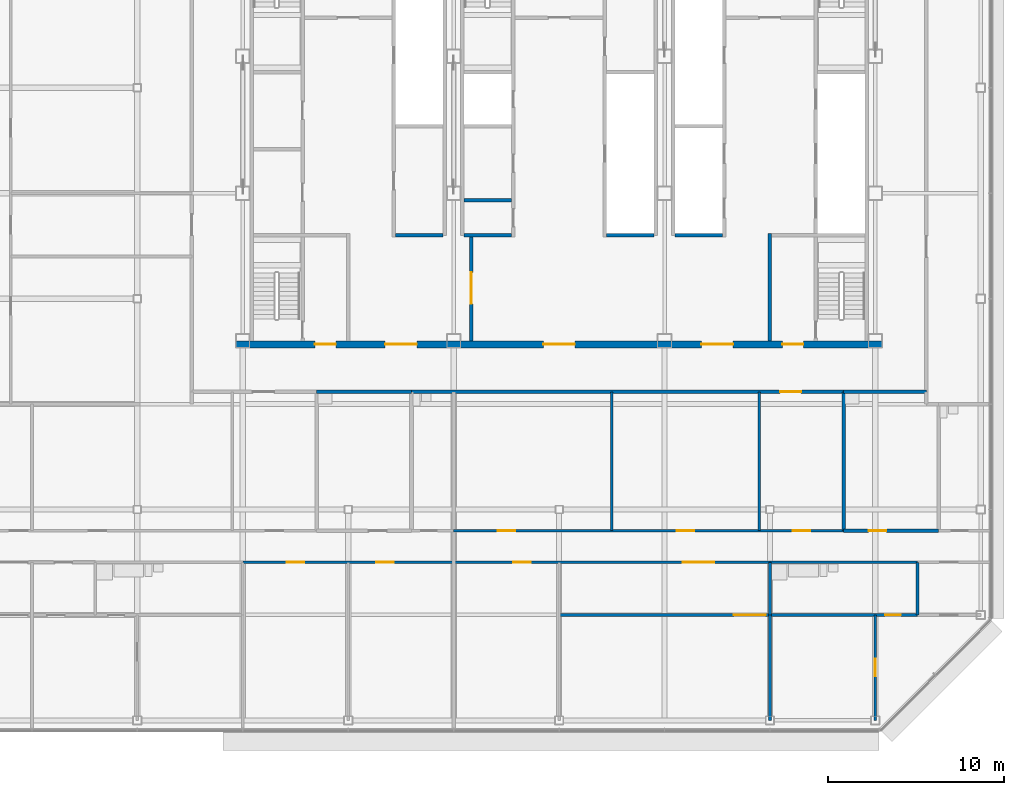
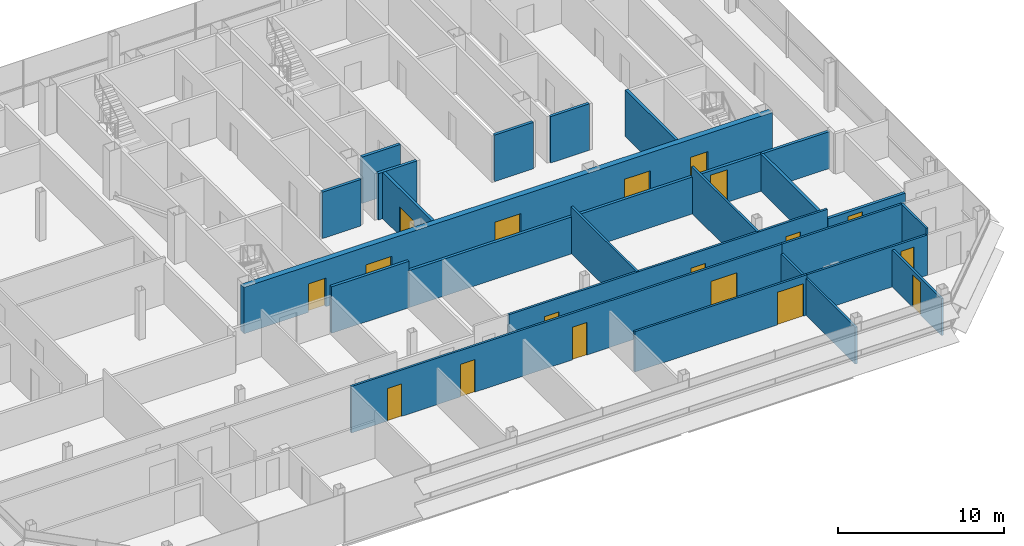
# One storey, part 22 of 27: 24 walls, 18 doors, 18 openings.
"""IFC4 building model written with IfcOpenShell, lengths in metres."""

from ifc_helpers import new_model, si_unit, direction, frame, frame_2d, origin, place, context, subcontext, project, spatial, rectangle, extrude, material, layer, layer_set, type_object, element, fill, save


model = new_model("IFC4")

# Units and contexts
model_context = context("Model", 3, precision=1e-05, world=origin(), true_north=direction((0.0, 1.0)))
body_context = subcontext(model_context, "Body", "Model", "MODEL_VIEW")
ifc_project = project(units=[si_unit("LENGTHUNIT", "METRE"), si_unit("AREAUNIT", "SQUARE_METRE"), si_unit("VOLUMEUNIT", "CUBIC_METRE"), si_unit("PLANEANGLEUNIT", "RADIAN"), si_unit("MASSUNIT", "GRAM", prefix="KILO")], contexts=[model_context])

# Site, building, storey
site_placement = place(None, origin())
site = spatial("IfcSite", under=ifc_project, at=site_placement, CompositionType="ELEMENT")
building_placement = place(site_placement, origin())
building = spatial("IfcBuilding", under=site, at=building_placement, Name="Sorahane Residences", CompositionType="ELEMENT")
storey_placement = place(building_placement, frame((0.0, 0.0, 316.0)))
storey = spatial("IfcBuildingStorey", under=building, at=storey_placement, Name="L75", CompositionType="ELEMENT", Elevation=316.0)

# Wall, opening, door
ifc_material_1 = material(Name="Concrete blockwork C20 wall", Category="masonry")
ifc_layer_1 = layer(ifc_material_1, 0.199951171875)
ifc_layer_set_1 = layer_set([ifc_layer_1], Name="Corridor wall 200 EI 120")
wall_type_1 = type_object("IfcWallType", Name="Corridor wall 200 EI 120", PredefinedType="SOLIDWALL", material=ifc_layer_set_1)
wall_1_placement = place(storey_placement, frame((15.60009765625, 18.699951171875, 0.0), z_axis=(0.0, 0.0, 1.0), x_axis=(1.0, 0.0, 0.0)))
wall_1 = element("IfcWall", 1, at=wall_1_placement, inside=storey, type_object=wall_type_1, Name="L75 corridor wall", PredefinedType="SOLIDWALL", context=body_context, shape_type="SweptSolid", body=[
    extrude(rectangle(XDim=24.599853515625, YDim=0.199951171875, at=frame_2d((12.2998046875, 0.0))), origin(), (0.0, 0.0, 1.0), 2.719970703125),
])
opening_1_placement = place(wall_1_placement, frame((20.97998046875, 0.0, 0.0)))
opening_1 = element("IfcOpeningElement", 2, at=opening_1_placement, cuts=wall_1, Name="Opening L75-39", PredefinedType="OPENING", context=body_context, shape_type="SweptSolid", body=[
    extrude(rectangle(XDim=1.199951171875, YDim=2.39990234375, at=frame_2d((0.60009765625, 1.199951171875))), frame((0.0, 0.10986328125, 0.0), z_axis=(0.0, -1.0, 0.0), x_axis=(1.0, 0.0, 0.0)), (0.0, 0.0, 1.0), 0.219970703125),
])
ifc_material_2 = material(Name="Timber veneered fire door", Category="wood")
door_type_1 = type_object("IfcDoorType", Name="Flat entrance door 1200x2400 FD60", OperationType="NOTDEFINED", PredefinedType="DOOR", material=ifc_material_2)
door_1_placement = place(opening_1_placement, frame((1.199951171875, 0.0, 0.0), z_axis=(0.0, 0.0, 1.0), x_axis=(-1.0, 0.0, 0.0)))
door_1 = element("IfcDoor", 3, at=door_1_placement, inside=storey, type_object=door_type_1, Name="Flat entrance door L75-39", OperationType="SINGLE_SWING_RIGHT", OverallHeight=2.39990234375, OverallWidth=1.199951171875, PredefinedType="DOOR", context=body_context, shape_type="SweptSolid", body=[
    extrude(rectangle(XDim=1.199951171875, YDim=2.39990234375, at=frame_2d((0.60009765625, 1.199951171875))), frame((0.0, 0.02490234375, 0.0), z_axis=(0.0, -1.0, 0.0), x_axis=(1.0, 0.0, 0.0)), (0.0, 0.0, 1.0), 0.050048828125),
])
fill(opening_1, door_1)

# Walls
ifc_material_3 = material(Name="Concrete C30", Category="concrete")
ifc_layer_2 = layer(ifc_material_3, 0.199951171875)
ifc_layer_set_2 = layer_set([ifc_layer_2], Name="Front room wall 200 EI 120")
wall_type_2 = type_object("IfcWallType", Name="Front room wall 200 EI 120", PredefinedType="PARTITIONING", material=ifc_layer_set_2)
wall_2_placement = place(storey_placement, frame((36.0, 21.60009765625, 0.0), z_axis=(0.0, 0.0, 1.0), x_axis=(0.0, 1.0, 0.0)))
element("IfcWall", 4, at=wall_2_placement, inside=storey, type_object=wall_type_2, Name="L75 front room wall", PredefinedType="PARTITIONING", context=body_context, shape_type="SweptSolid", body=[
    extrude(rectangle(XDim=6.099853515625, YDim=0.199951171875, at=frame_2d((3.0498046875, 0.0))), origin(), (0.0, 0.0, 1.0), 3.419921875),
])
ifc_material_4 = material(Name="Concrete blockwork C20 wall", Category="masonry")
ifc_layer_3 = layer(ifc_material_4, 0.199951171875)
ifc_layer_set_3 = layer_set([ifc_layer_3], Name="Kitchen wall 200 EI 180")
wall_type_3 = type_object("IfcWallType", Name="Kitchen wall 200 EI 180", PredefinedType="SOLIDWALL", material=ifc_layer_set_3)
wall_3_placement = place(storey_placement, frame((40.199951171875, 10.800048828125, 0.0), z_axis=(0.0, 0.0, 1.0), x_axis=(0.0, 1.0, 0.0)))
element("IfcWall", 5, at=wall_3_placement, inside=storey, type_object=wall_type_3, Name="L75 kitchen wall", PredefinedType="SOLIDWALL", context=body_context, shape_type="SweptSolid", body=[
    extrude(rectangle(XDim=7.89990234375, YDim=0.199951171875, at=frame_2d((3.949951171875, 0.0))), origin(), (0.0, 0.0, 1.0), 2.719970703125),
])

# Wall, opening, door
wall_4_placement = place(storey_placement, frame((40.199951171875, 10.800048828125, 0.0), z_axis=(0.0, 0.0, 1.0), x_axis=(1.0, 0.0, 0.0)))
wall_4 = element("IfcWall", 6, at=wall_4_placement, inside=storey, type_object=wall_type_3, Name="L75 kitchen wall", PredefinedType="SOLIDWALL", context=body_context, shape_type="SweptSolid", body=[
    extrude(rectangle(XDim=5.400146484375, YDim=0.199951171875, at=frame_2d((2.7001953125, 0.0))), origin(), (0.0, 0.0, 1.0), 2.719970703125),
])
opening_2_placement = place(wall_4_placement, frame((1.419921875, 0.0, 0.0)))
opening_2 = element("IfcOpeningElement", 7, at=opening_2_placement, cuts=wall_4, Name="Opening L75-17", PredefinedType="OPENING", context=body_context, shape_type="SweptSolid", body=[
    extrude(rectangle(XDim=1.0, YDim=2.39990234375, at=frame_2d((0.5, 1.199951171875))), frame((0.0, 0.10986328125, 0.0), z_axis=(0.0, -1.0, 0.0), x_axis=(1.0, 0.0, 0.0)), (0.0, 0.0, 1.0), 0.219970703125),
])
ifc_material_5 = material(Name="Steel", Category="steel")
door_type_2 = type_object("IfcDoorType", Name="Kitchen door 1000x2400 FD120", OperationType="NOTDEFINED", PredefinedType="DOOR", material=ifc_material_5)
door_2_placement = place(opening_2_placement, origin())
door_2 = element("IfcDoor", 8, at=door_2_placement, inside=storey, type_object=door_type_2, Name="Kitchen door L75-17", OperationType="SINGLE_SWING_RIGHT", OverallHeight=2.39990234375, OverallWidth=1.0, PredefinedType="DOOR", context=body_context, shape_type="SweptSolid", body=[
    extrude(rectangle(XDim=1.0, YDim=2.39990234375, at=frame_2d((0.5, 1.199951171875))), frame((0.0, 0.02490234375, 0.0), z_axis=(0.0, -1.0, 0.0), x_axis=(1.0, 0.0, 0.0)), (0.0, 0.0, 1.0), 0.050048828125),
])
fill(opening_2, door_2)

# Walls
wall_5_placement = place(storey_placement, frame((10.199951171875, 18.699951171875, 0.0), z_axis=(0.0, 0.0, 1.0), x_axis=(1.0, 0.0, 0.0)))
element("IfcWall", 9, at=wall_5_placement, inside=storey, type_object=wall_type_3, Name="L75 kitchen wall", PredefinedType="SOLIDWALL", context=body_context, shape_type="SweptSolid", body=[
    extrude(rectangle(XDim=5.400146484375, YDim=0.199951171875, at=frame_2d((2.7001953125, 0.0))), origin(), (0.0, 0.0, 1.0), 3.419921875),
])
wall_6_placement = place(storey_placement, frame((40.199951171875, 18.699951171875, 0.0), z_axis=(0.0, 0.0, 1.0), x_axis=(1.0, 0.0, 0.0)))
element("IfcWall", 10, at=wall_6_placement, inside=storey, type_object=wall_type_3, Name="L75 kitchen wall", PredefinedType="SOLIDWALL", context=body_context, shape_type="SweptSolid", body=[
    extrude(rectangle(XDim=4.699951171875, YDim=0.199951171875, at=frame_2d((2.35009765625, 0.0))), origin(), (0.0, 0.0, 1.0), 2.719970703125),
])
ifc_material_6 = material(Name="Concrete C30", Category="concrete")
ifc_layer_4 = layer(ifc_material_6, 0.199951171875)
ifc_layer_set_4 = layer_set([ifc_layer_4], Name="Lift shaft wall 200 EI 120")
wall_type_4 = type_object("IfcWallType", Name="Lift shaft wall 200 EI 120", PredefinedType="SOLIDWALL", material=ifc_layer_set_4)
wall_7_placement = place(storey_placement, frame((30.60009765625, 27.60009765625, 0.0), z_axis=(0.0, 0.0, 1.0), x_axis=(1.0, 0.0, 0.0)))
element("IfcWall", 11, at=wall_7_placement, inside=storey, type_object=wall_type_4, Name="L75 lift shaft wall", PredefinedType="SOLIDWALL", context=body_context, shape_type="SweptSolid", body=[
    extrude(rectangle(XDim=2.699951171875, YDim=0.199951171875, at=frame_2d((1.35009765625, 0.0))), origin(), (0.0, 0.0, 1.0), 3.419921875),
])
ifc_material_7 = material(Name="Gypsum board partition on steel studs", Category="steel")
ifc_layer_5 = layer(ifc_material_7, 0.14990234375)
ifc_layer_set_5 = layer_set([ifc_layer_5], Name="Partition 150 EI 90")
wall_type_5 = type_object("IfcWallType", Name="Partition 150 EI 90", PredefinedType="PARTITIONING", material=ifc_layer_set_5)
for number, where, z_axis, x_axis, name in (
    (12, (27.0, 10.800048828125, 0.0), (0.0, 0.0, 1.0), (0.0, 1.0, 0.0), "L75 partition"),
    (13, (35.39990234375, 10.800048828125, 0.0), (0.0, 0.0, 1.0), (0.0, 1.0, 0.0), "L75 partition"),
):
    element("IfcWall", number, at=place(storey_placement, frame(where, z_axis=z_axis, x_axis=x_axis)), inside=storey, type_object=wall_type_5, Name=name, PredefinedType="PARTITIONING", context=body_context, shape_type="SweptSolid", body=[
        extrude(rectangle(XDim=7.89990234375, YDim=0.14990234375, at=frame_2d((3.949951171875, 0.0))), origin(), (0.0, 0.0, 1.0), 3.419921875),
    ])
wall_8_placement = place(storey_placement, frame((36.0, 0.0, 0.0), z_axis=(0.0, 0.0, 1.0), x_axis=(0.0, 1.0, 0.0)))
element("IfcWall", 14, at=wall_8_placement, inside=storey, type_object=wall_type_5, Name="L75 partition", PredefinedType="PARTITIONING", context=body_context, shape_type="SweptSolid", body=[
    extrude(rectangle(XDim=6.0, YDim=0.14990234375, at=frame_2d((3.0, 0.0))), origin(), (0.0, 0.0, 1.0), 2.719970703125),
])

# Wall, opening, door
wall_9_placement = place(storey_placement, frame((42.0, 0.0, 0.0), z_axis=(0.0, 0.0, 1.0), x_axis=(0.0, 1.0, 0.0)))
wall_9 = element("IfcWall", 15, at=wall_9_placement, inside=storey, type_object=wall_type_5, Name="L75 partition", PredefinedType="PARTITIONING", context=body_context, shape_type="SweptSolid", body=[
    extrude(rectangle(XDim=6.0, YDim=0.14990234375, at=frame_2d((3.0, 0.0))), origin(), (0.0, 0.0, 1.0), 2.719970703125),
])
opening_3_placement = place(wall_9_placement, frame((2.5, 0.0, 0.0)))
opening_3 = element("IfcOpeningElement", 16, at=opening_3_placement, cuts=wall_9, Name="Opening L75-24", PredefinedType="OPENING", context=body_context, shape_type="SweptSolid", body=[
    extrude(rectangle(XDim=1.0, YDim=2.39990234375, at=frame_2d((0.5, 1.199951171875))), frame((0.0, 0.0849609375, 0.0), z_axis=(0.0, -1.0, 0.0), x_axis=(1.0, 0.0, 0.0)), (0.0, 0.0, 1.0), 0.169921875),
])
ifc_material_8 = material(Name="Timber veneered fire door", Category="wood")
door_type_3 = type_object("IfcDoorType", Name="Room door 1000x2400 FD30", OperationType="NOTDEFINED", PredefinedType="DOOR", material=ifc_material_8)
door_3_placement = place(opening_3_placement, origin())
door_3 = element("IfcDoor", 17, at=door_3_placement, inside=storey, type_object=door_type_3, Name="Room door L75-24", OperationType="SINGLE_SWING_LEFT", OverallHeight=2.39990234375, OverallWidth=1.0, PredefinedType="DOOR", context=body_context, shape_type="SweptSolid", body=[
    extrude(rectangle(XDim=1.0, YDim=2.39990234375, at=frame_2d((0.5, 1.199951171875))), frame((0.0, 0.02490234375, 0.0), z_axis=(0.0, -1.0, 0.0), x_axis=(1.0, 0.0, 0.0)), (0.0, 0.0, 1.0), 0.050048828125),
])
fill(opening_3, door_3)

# Wall, openings, doors
wall_10_placement = place(storey_placement, frame((18.0, 10.800048828125, 0.0), z_axis=(0.0, 0.0, 1.0), x_axis=(1.0, 0.0, 0.0)))
wall_10 = element("IfcWall", 18, at=wall_10_placement, inside=storey, type_object=wall_type_5, Name="L75 partition", PredefinedType="PARTITIONING", context=body_context, shape_type="SweptSolid", body=[
    extrude(rectangle(XDim=22.199951171875, YDim=0.14990234375, at=frame_2d((11.10009765625, 0.0))), origin(), (0.0, 0.0, 1.0), 3.419921875),
])
opening_4_placement = place(wall_10_placement, frame((19.300048828125, 0.0, 0.0)))
opening_4 = element("IfcOpeningElement", 19, at=opening_4_placement, cuts=wall_10, Name="Opening L75-14", PredefinedType="OPENING", context=body_context, shape_type="SweptSolid", body=[
    extrude(rectangle(XDim=1.0, YDim=2.39990234375, at=frame_2d((0.5, 1.199951171875))), frame((0.0, 0.0849609375, 0.0), z_axis=(0.0, -1.0, 0.0), x_axis=(1.0, 0.0, 0.0)), (0.0, 0.0, 1.0), 0.169921875),
])
opening_5_placement = place(wall_10_placement, frame((2.5, 0.0, 0.0)))
opening_5 = element("IfcOpeningElement", 20, at=opening_5_placement, cuts=wall_10, Name="Opening L75-15", PredefinedType="OPENING", context=body_context, shape_type="SweptSolid", body=[
    extrude(rectangle(XDim=1.0, YDim=2.39990234375, at=frame_2d((0.5, 1.199951171875))), frame((0.0, 0.0849609375, 0.0), z_axis=(0.0, -1.0, 0.0), x_axis=(1.0, 0.0, 0.0)), (0.0, 0.0, 1.0), 0.169921875),
])
opening_6_placement = place(wall_10_placement, frame((12.699951171875, 0.0, 0.0)))
opening_6 = element("IfcOpeningElement", 21, at=opening_6_placement, cuts=wall_10, Name="Opening L75-16", PredefinedType="OPENING", context=body_context, shape_type="SweptSolid", body=[
    extrude(rectangle(XDim=1.0, YDim=2.39990234375, at=frame_2d((0.5, 1.199951171875))), frame((0.0, 0.0849609375, 0.0), z_axis=(0.0, -1.0, 0.0), x_axis=(1.0, 0.0, 0.0)), (0.0, 0.0, 1.0), 0.169921875),
])
door_4_placement = place(opening_4_placement, frame((1.0, 0.0, 0.0), z_axis=(0.0, 0.0, 1.0), x_axis=(-1.0, 0.0, 0.0)))
door_4 = element("IfcDoor", 22, at=door_4_placement, inside=storey, type_object=door_type_3, Name="Room door L75-14", OperationType="SINGLE_SWING_LEFT", OverallHeight=2.39990234375, OverallWidth=1.0, PredefinedType="DOOR", context=body_context, shape_type="SweptSolid", body=[
    extrude(rectangle(XDim=1.0, YDim=2.39990234375, at=frame_2d((0.5, 1.199951171875))), frame((0.0, 0.02490234375, 0.0), z_axis=(0.0, -1.0, 0.0), x_axis=(1.0, 0.0, 0.0)), (0.0, 0.0, 1.0), 0.050048828125),
])
fill(opening_4, door_4)
door_5_placement = place(opening_5_placement, origin())
door_5 = element("IfcDoor", 23, at=door_5_placement, inside=storey, type_object=door_type_3, Name="Room door L75-15", OperationType="SINGLE_SWING_LEFT", OverallHeight=2.39990234375, OverallWidth=1.0, PredefinedType="DOOR", context=body_context, shape_type="SweptSolid", body=[
    extrude(rectangle(XDim=1.0, YDim=2.39990234375, at=frame_2d((0.5, 1.199951171875))), frame((0.0, 0.02490234375, 0.0), z_axis=(0.0, -1.0, 0.0), x_axis=(1.0, 0.0, 0.0)), (0.0, 0.0, 1.0), 0.050048828125),
])
fill(opening_5, door_5)
door_6_placement = place(opening_6_placement, origin())
door_6 = element("IfcDoor", 24, at=door_6_placement, inside=storey, type_object=door_type_3, Name="Room door L75-16", OperationType="SINGLE_SWING_LEFT", OverallHeight=2.39990234375, OverallWidth=1.0, PredefinedType="DOOR", context=body_context, shape_type="SweptSolid", body=[
    extrude(rectangle(XDim=1.0, YDim=2.39990234375, at=frame_2d((0.5, 1.199951171875))), frame((0.0, 0.02490234375, 0.0), z_axis=(0.0, -1.0, 0.0), x_axis=(1.0, 0.0, 0.0)), (0.0, 0.0, 1.0), 0.050048828125),
])
fill(opening_6, door_6)

# Wall, opening, door
wall_11_placement = place(storey_placement, frame((24.0, 6.0, 0.0), z_axis=(0.0, 0.0, 1.0), x_axis=(1.0, 0.0, 0.0)))
wall_11 = element("IfcWall", 25, at=wall_11_placement, inside=storey, type_object=wall_type_5, Name="L75 partition", PredefinedType="PARTITIONING", context=body_context, shape_type="SweptSolid", body=[
    extrude(rectangle(XDim=12.0, YDim=0.14990234375, at=frame_2d((6.0, 0.0))), origin(), (0.0, 0.0, 1.0), 2.969970703125),
])
opening_7_placement = place(wall_11_placement, frame((9.949951171875, 0.0, 0.0)))
opening_7 = element("IfcOpeningElement", 26, at=opening_7_placement, cuts=wall_11, Name="Opening L75-22", PredefinedType="OPENING", context=body_context, shape_type="SweptSolid", body=[
    extrude(rectangle(XDim=1.800048828125, YDim=2.39990234375, at=frame_2d((0.89990234375, 1.199951171875))), frame((0.0, 0.0849609375, 0.0), z_axis=(0.0, -1.0, 0.0), x_axis=(1.0, 0.0, 0.0)), (0.0, 0.0, 1.0), 0.169921875),
])
ifc_material_9 = material(Name="Timber veneered fire door", Category="wood")
door_type_4 = type_object("IfcDoorType", Name="Double door 1800x2400 FD30", OperationType="NOTDEFINED", PredefinedType="DOOR", material=ifc_material_9)
door_7_placement = place(opening_7_placement, frame((1.800048828125, 0.0, 0.0), z_axis=(0.0, 0.0, 1.0), x_axis=(-1.0, 0.0, 0.0)))
door_7 = element("IfcDoor", 27, at=door_7_placement, inside=storey, type_object=door_type_4, Name="Double door L75-22", OperationType="SINGLE_SWING_LEFT", OverallHeight=2.39990234375, OverallWidth=1.800048828125, PredefinedType="DOOR", context=body_context, shape_type="SweptSolid", body=[
    extrude(rectangle(XDim=1.800048828125, YDim=2.39990234375, at=frame_2d((0.89990234375, 1.199951171875))), frame((0.0, 0.02490234375, 0.0), z_axis=(0.0, -1.0, 0.0), x_axis=(1.0, 0.0, 0.0)), (0.0, 0.0, 1.0), 0.050048828125),
])
fill(opening_7, door_7)

# Wall, openings, doors
wall_12_placement = place(storey_placement, frame((6.0, 9.0, 0.0), z_axis=(0.0, 0.0, 1.0), x_axis=(1.0, 0.0, 0.0)))
wall_12 = element("IfcWall", 28, at=wall_12_placement, inside=storey, type_object=wall_type_5, Name="L75 partition", PredefinedType="PARTITIONING", context=body_context, shape_type="SweptSolid", body=[
    extrude(rectangle(XDim=30.0, YDim=0.14990234375, at=frame_2d((15.0, 0.0))), origin(), (0.0, 0.0, 1.0), 3.419921875),
])
opening_8_placement = place(wall_12_placement, frame((2.5, 0.0, 0.0)))
opening_8 = element("IfcOpeningElement", 29, at=opening_8_placement, cuts=wall_12, Name="Opening L75-08", PredefinedType="OPENING", context=body_context, shape_type="SweptSolid", body=[
    extrude(rectangle(XDim=1.0, YDim=2.39990234375, at=frame_2d((0.5, 1.199951171875))), frame((0.0, 0.0849609375, 0.0), z_axis=(0.0, -1.0, 0.0), x_axis=(1.0, 0.0, 0.0)), (0.0, 0.0, 1.0), 0.169921875),
])
opening_9_placement = place(wall_12_placement, frame((7.60009765625, 0.0, 0.0)))
opening_9 = element("IfcOpeningElement", 30, at=opening_9_placement, cuts=wall_12, Name="Opening L75-09", PredefinedType="OPENING", context=body_context, shape_type="SweptSolid", body=[
    extrude(rectangle(XDim=1.0, YDim=2.39990234375, at=frame_2d((0.5, 1.199951171875))), frame((0.0, 0.0849609375, 0.0), z_axis=(0.0, -1.0, 0.0), x_axis=(1.0, 0.0, 0.0)), (0.0, 0.0, 1.0), 0.169921875),
])
opening_10_placement = place(wall_12_placement, frame((15.39990234375, 0.0, 0.0)))
opening_10 = element("IfcOpeningElement", 31, at=opening_10_placement, cuts=wall_12, Name="Opening L75-19", PredefinedType="OPENING", context=body_context, shape_type="SweptSolid", body=[
    extrude(rectangle(XDim=1.0, YDim=2.39990234375, at=frame_2d((0.5, 1.199951171875))), frame((0.0, 0.0849609375, 0.0), z_axis=(0.0, -1.0, 0.0), x_axis=(1.0, 0.0, 0.0)), (0.0, 0.0, 1.0), 0.169921875),
])
opening_11_placement = place(wall_12_placement, frame((25.0400390625, 0.0, 0.0)))
opening_11 = element("IfcOpeningElement", 32, at=opening_11_placement, cuts=wall_12, Name="Opening L75-20", PredefinedType="OPENING", context=body_context, shape_type="SweptSolid", body=[
    extrude(rectangle(XDim=1.800048828125, YDim=2.39990234375, at=frame_2d((0.89990234375, 1.199951171875))), frame((0.0, 0.0849609375, 0.0), z_axis=(0.0, -1.0, 0.0), x_axis=(1.0, 0.0, 0.0)), (0.0, 0.0, 1.0), 0.169921875),
])
door_8_placement = place(opening_11_placement, frame((1.800048828125, 0.0, 0.0), z_axis=(0.0, 0.0, 1.0), x_axis=(-1.0, 0.0, 0.0)))
door_8 = element("IfcDoor", 33, at=door_8_placement, inside=storey, type_object=door_type_4, Name="Double door L75-20", OperationType="SINGLE_SWING_RIGHT", OverallHeight=2.39990234375, OverallWidth=1.800048828125, PredefinedType="DOOR", context=body_context, shape_type="SweptSolid", body=[
    extrude(rectangle(XDim=1.800048828125, YDim=2.39990234375, at=frame_2d((0.89990234375, 1.199951171875))), frame((0.0, 0.02490234375, 0.0), z_axis=(0.0, -1.0, 0.0), x_axis=(1.0, 0.0, 0.0)), (0.0, 0.0, 1.0), 0.050048828125),
])
fill(opening_11, door_8)
door_9_placement = place(opening_8_placement, frame((1.0, 0.0, 0.0), z_axis=(0.0, 0.0, 1.0), x_axis=(-1.0, 0.0, 0.0)))
door_9 = element("IfcDoor", 34, at=door_9_placement, inside=storey, type_object=door_type_3, Name="Room door L75-08", OperationType="SINGLE_SWING_LEFT", OverallHeight=2.39990234375, OverallWidth=1.0, PredefinedType="DOOR", context=body_context, shape_type="SweptSolid", body=[
    extrude(rectangle(XDim=1.0, YDim=2.39990234375, at=frame_2d((0.5, 1.199951171875))), frame((0.0, 0.02490234375, 0.0), z_axis=(0.0, -1.0, 0.0), x_axis=(1.0, 0.0, 0.0)), (0.0, 0.0, 1.0), 0.050048828125),
])
fill(opening_8, door_9)
door_10_placement = place(opening_9_placement, frame((1.0, 0.0, 0.0), z_axis=(0.0, 0.0, 1.0), x_axis=(-1.0, 0.0, 0.0)))
door_10 = element("IfcDoor", 35, at=door_10_placement, inside=storey, type_object=door_type_3, Name="Room door L75-09", OperationType="SINGLE_SWING_RIGHT", OverallHeight=2.39990234375, OverallWidth=1.0, PredefinedType="DOOR", context=body_context, shape_type="SweptSolid", body=[
    extrude(rectangle(XDim=1.0, YDim=2.39990234375, at=frame_2d((0.5, 1.199951171875))), frame((0.0, 0.02490234375, 0.0), z_axis=(0.0, -1.0, 0.0), x_axis=(1.0, 0.0, 0.0)), (0.0, 0.0, 1.0), 0.050048828125),
])
fill(opening_9, door_10)
door_11_placement = place(opening_10_placement, frame((1.0, 0.0, 0.0), z_axis=(0.0, 0.0, 1.0), x_axis=(-1.0, 0.0, 0.0)))
door_11 = element("IfcDoor", 36, at=door_11_placement, inside=storey, type_object=door_type_3, Name="Room door L75-19", OperationType="SINGLE_SWING_LEFT", OverallHeight=2.39990234375, OverallWidth=1.0, PredefinedType="DOOR", context=body_context, shape_type="SweptSolid", body=[
    extrude(rectangle(XDim=1.0, YDim=2.39990234375, at=frame_2d((0.5, 1.199951171875))), frame((0.0, 0.02490234375, 0.0), z_axis=(0.0, -1.0, 0.0), x_axis=(1.0, 0.0, 0.0)), (0.0, 0.0, 1.0), 0.050048828125),
])
fill(opening_10, door_11)

# Wall
ifc_material_10 = material(Name="Concrete C30", Category="concrete")
ifc_layer_6 = layer(ifc_material_10, 0.199951171875)
ifc_layer_set_6 = layer_set([ifc_layer_6], Name="Riser shaft wall 200 EI 120")
wall_type_6 = type_object("IfcWallType", Name="Riser shaft wall 200 EI 120", PredefinedType="SOLIDWALL", material=ifc_layer_set_6)
wall_13_placement = place(storey_placement, frame((26.699951171875, 27.60009765625, 0.0), z_axis=(0.0, 0.0, 1.0), x_axis=(1.0, 0.0, 0.0)))
element("IfcWall", 37, at=wall_13_placement, inside=storey, type_object=wall_type_6, Name="L75 riser wall", PredefinedType="SOLIDWALL", context=body_context, shape_type="SweptSolid", body=[
    extrude(rectangle(XDim=2.699951171875, YDim=0.199951171875, at=frame_2d((1.35009765625, 0.0))), origin(), (0.0, 0.0, 1.0), 3.419921875),
])

# Wall, opening, door
ifc_material_11 = material(Name="Concrete C30", Category="concrete")
ifc_layer_7 = layer(ifc_material_11, 0.199951171875)
ifc_layer_set_7 = layer_set([ifc_layer_7], Name="Service room partition 200 EI 60")
wall_type_7 = type_object("IfcWallType", Name="Service room partition 200 EI 60", PredefinedType="PARTITIONING", material=ifc_layer_set_7)
wall_14_placement = place(storey_placement, frame((19.0, 21.60009765625, 0.0), z_axis=(0.0, 0.0, 1.0), x_axis=(0.0, 1.0, 0.0)))
wall_14 = element("IfcWall", 38, at=wall_14_placement, inside=storey, type_object=wall_type_7, Name="L75 service room wall", PredefinedType="PARTITIONING", context=body_context, shape_type="SweptSolid", body=[
    extrude(rectangle(XDim=6.0, YDim=0.199951171875, at=frame_2d((3.0, 0.0))), origin(), (0.0, 0.0, 1.0), 3.419921875),
])
opening_12_placement = place(wall_14_placement, frame((2.10009765625, 0.0, 0.0)))
opening_12 = element("IfcOpeningElement", 39, at=opening_12_placement, cuts=wall_14, Name="Opening L75-C02", PredefinedType="OPENING", context=body_context, shape_type="SweptSolid", body=[
    extrude(rectangle(XDim=1.800048828125, YDim=2.10009765625, at=frame_2d((0.89990234375, 1.050048828125))), frame((0.0, 0.10986328125, 0.0), z_axis=(0.0, -1.0, 0.0), x_axis=(1.0, 0.0, 0.0)), (0.0, 0.0, 1.0), 0.219970703125),
])
ifc_material_12 = material(Name="Steel", Category="steel")
door_type_5 = type_object("IfcDoorType", Name="Waiting hall door 1800x2100 FD60", OperationType="NOTDEFINED", PredefinedType="DOOR", material=ifc_material_12)
door_12_placement = place(opening_12_placement, origin())
door_12 = element("IfcDoor", 40, at=door_12_placement, inside=storey, type_object=door_type_5, Name="Waiting hall door Residents' waiting hall west L75", OperationType="SINGLE_SWING_LEFT", OverallHeight=2.10009765625, OverallWidth=1.800048828125, PredefinedType="DOOR", context=body_context, shape_type="SweptSolid", body=[
    extrude(rectangle(XDim=1.800048828125, YDim=2.10009765625, at=frame_2d((0.89990234375, 1.050048828125))), frame((0.0, 0.02490234375, 0.0), z_axis=(0.0, -1.0, 0.0), x_axis=(1.0, 0.0, 0.0)), (0.0, 0.0, 1.0), 0.050048828125),
])
fill(opening_12, door_12)

# Walls
for number, where, z_axis, x_axis, name in (
    (41, (14.699951171875, 27.60009765625, 0.0), (0.0, 0.0, 1.0), (1.0, 0.0, 0.0), "L75 service room wall"),
    (42, (18.60009765625, 27.60009765625, 0.0), (0.0, 0.0, 1.0), (1.0, 0.0, 0.0), "L75 service room wall"),
    (43, (18.60009765625, 29.60009765625, 0.0), (0.0, 0.0, 1.0), (1.0, 0.0, 0.0), "L75 service room wall"),
):
    element("IfcWall", number, at=place(storey_placement, frame(where, z_axis=z_axis, x_axis=x_axis)), inside=storey, type_object=wall_type_7, Name=name, PredefinedType="PARTITIONING", context=body_context, shape_type="SweptSolid", body=[
        extrude(rectangle(XDim=2.699951171875, YDim=0.199951171875, at=frame_2d((1.35009765625, 0.0))), origin(), (0.0, 0.0, 1.0), 3.419921875),
    ])

# Wall, openings, doors
ifc_material_13 = material(Name="Concrete C30", Category="concrete")
ifc_layer_8 = layer(ifc_material_13, 0.39990234375)
ifc_layer_set_8 = layer_set([ifc_layer_8], Name="Waiting hall wall 400 EI 120")
wall_type_8 = type_object("IfcWallType", Name="Waiting hall wall 400 EI 120", PredefinedType="SOLIDWALL", material=ifc_layer_set_8)
wall_15_placement = place(storey_placement, frame((5.60009765625, 21.39990234375, 0.0), z_axis=(0.0, 0.0, 1.0), x_axis=(1.0, 0.0, 0.0)))
wall_15 = element("IfcWall", 44, at=wall_15_placement, inside=storey, type_object=wall_type_8, Name="L75 waiting hall wall", PredefinedType="SOLIDWALL", context=body_context, shape_type="SweptSolid", body=[
    extrude(rectangle(XDim=36.7998046875, YDim=0.39990234375, at=frame_2d((18.39990234375, 0.0))), origin(), (0.0, 0.0, 1.0), 3.419921875),
])
opening_13_placement = place(wall_15_placement, frame((8.5, 0.0, 0.0)))
opening_13 = element("IfcOpeningElement", 45, at=opening_13_placement, cuts=wall_15, Name="Opening L75-C01", PredefinedType="OPENING", context=body_context, shape_type="SweptSolid", body=[
    extrude(rectangle(XDim=1.800048828125, YDim=2.10009765625, at=frame_2d((0.89990234375, 1.050048828125))), frame((0.0, 0.2099609375, 0.0), z_axis=(0.0, -1.0, 0.0), x_axis=(1.0, 0.0, 0.0)), (0.0, 0.0, 1.0), 0.419921875),
])
opening_14_placement = place(wall_15_placement, frame((17.5, 0.0, 0.0)))
opening_14 = element("IfcOpeningElement", 46, at=opening_14_placement, cuts=wall_15, Name="Opening L75-C03", PredefinedType="OPENING", context=body_context, shape_type="SweptSolid", body=[
    extrude(rectangle(XDim=1.800048828125, YDim=2.10009765625, at=frame_2d((0.89990234375, 1.050048828125))), frame((0.0, 0.2099609375, 0.0), z_axis=(0.0, -1.0, 0.0), x_axis=(1.0, 0.0, 0.0)), (0.0, 0.0, 1.0), 0.419921875),
])
opening_15_placement = place(wall_15_placement, frame((26.5, 0.0, 0.0)))
opening_15 = element("IfcOpeningElement", 47, at=opening_15_placement, cuts=wall_15, Name="Opening L75-C04", PredefinedType="OPENING", context=body_context, shape_type="SweptSolid", body=[
    extrude(rectangle(XDim=1.800048828125, YDim=2.10009765625, at=frame_2d((0.89990234375, 1.050048828125))), frame((0.0, 0.2099609375, 0.0), z_axis=(0.0, -1.0, 0.0), x_axis=(1.0, 0.0, 0.0)), (0.0, 0.0, 1.0), 0.419921875),
])
opening_16_placement = place(wall_15_placement, frame((4.5, 0.0, 0.0)))
opening_16 = element("IfcOpeningElement", 48, at=opening_16_placement, cuts=wall_15, Name="Opening L75-C05", PredefinedType="OPENING", context=body_context, shape_type="SweptSolid", body=[
    extrude(rectangle(XDim=1.199951171875, YDim=2.10009765625, at=frame_2d((0.60009765625, 1.050048828125))), frame((0.0, 0.2099609375, 0.0), z_axis=(0.0, -1.0, 0.0), x_axis=(1.0, 0.0, 0.0)), (0.0, 0.0, 1.0), 0.419921875),
])
opening_17_placement = place(wall_15_placement, frame((31.10009765625, 0.0, 0.0)))
opening_17 = element("IfcOpeningElement", 49, at=opening_17_placement, cuts=wall_15, Name="Opening L75-C06", PredefinedType="OPENING", context=body_context, shape_type="SweptSolid", body=[
    extrude(rectangle(XDim=1.199951171875, YDim=2.10009765625, at=frame_2d((0.60009765625, 1.050048828125))), frame((0.0, 0.2099609375, 0.0), z_axis=(0.0, -1.0, 0.0), x_axis=(1.0, 0.0, 0.0)), (0.0, 0.0, 1.0), 0.419921875),
])
ifc_material_14 = material(Name="Steel", Category="steel")
door_type_6 = type_object("IfcDoorType", Name="Stair front room door 1200x2100 FD120", OperationType="NOTDEFINED", PredefinedType="DOOR", material=ifc_material_14)
door_13_placement = place(opening_16_placement, frame((1.199951171875, 0.0, 0.0), z_axis=(0.0, 0.0, 1.0), x_axis=(-1.0, 0.0, 0.0)))
door_13 = element("IfcDoor", 50, at=door_13_placement, inside=storey, type_object=door_type_6, Name="Stair front room door Stair S4 front room L75", OperationType="SINGLE_SWING_LEFT", OverallHeight=2.10009765625, OverallWidth=1.199951171875, PredefinedType="DOOR", context=body_context, shape_type="SweptSolid", body=[
    extrude(rectangle(XDim=1.199951171875, YDim=2.10009765625, at=frame_2d((0.60009765625, 1.050048828125))), frame((0.0, 0.02490234375, 0.0), z_axis=(0.0, -1.0, 0.0), x_axis=(1.0, 0.0, 0.0)), (0.0, 0.0, 1.0), 0.050048828125),
])
fill(opening_16, door_13)
door_14_placement = place(opening_17_placement, frame((1.199951171875, 0.0, 0.0), z_axis=(0.0, 0.0, 1.0), x_axis=(-1.0, 0.0, 0.0)))
door_14 = element("IfcDoor", 51, at=door_14_placement, inside=storey, type_object=door_type_6, Name="Stair front room door Stair S5 front room L75", OperationType="SINGLE_SWING_LEFT", OverallHeight=2.10009765625, OverallWidth=1.199951171875, PredefinedType="DOOR", context=body_context, shape_type="SweptSolid", body=[
    extrude(rectangle(XDim=1.199951171875, YDim=2.10009765625, at=frame_2d((0.60009765625, 1.050048828125))), frame((0.0, 0.02490234375, 0.0), z_axis=(0.0, -1.0, 0.0), x_axis=(1.0, 0.0, 0.0)), (0.0, 0.0, 1.0), 0.050048828125),
])
fill(opening_17, door_14)
door_15_placement = place(opening_13_placement, frame((1.800048828125, 0.0, 0.0), z_axis=(0.0, 0.0, 1.0), x_axis=(-1.0, 0.0, 0.0)))
door_15 = element("IfcDoor", 52, at=door_15_placement, inside=storey, type_object=door_type_5, Name="Waiting hall door Residents' waiting hall west L75", OperationType="SINGLE_SWING_LEFT", OverallHeight=2.10009765625, OverallWidth=1.800048828125, PredefinedType="DOOR", context=body_context, shape_type="SweptSolid", body=[
    extrude(rectangle(XDim=1.800048828125, YDim=2.10009765625, at=frame_2d((0.89990234375, 1.050048828125))), frame((0.0, 0.02490234375, 0.0), z_axis=(0.0, -1.0, 0.0), x_axis=(1.0, 0.0, 0.0)), (0.0, 0.0, 1.0), 0.050048828125),
])
fill(opening_13, door_15)
door_16_placement = place(opening_14_placement, frame((1.800048828125, 0.0, 0.0), z_axis=(0.0, 0.0, 1.0), x_axis=(-1.0, 0.0, 0.0)))
door_16 = element("IfcDoor", 53, at=door_16_placement, inside=storey, type_object=door_type_5, Name="Waiting hall door Residents' waiting hall east L75", OperationType="SINGLE_SWING_LEFT", OverallHeight=2.10009765625, OverallWidth=1.800048828125, PredefinedType="DOOR", context=body_context, shape_type="SweptSolid", body=[
    extrude(rectangle(XDim=1.800048828125, YDim=2.10009765625, at=frame_2d((0.89990234375, 1.050048828125))), frame((0.0, 0.02490234375, 0.0), z_axis=(0.0, -1.0, 0.0), x_axis=(1.0, 0.0, 0.0)), (0.0, 0.0, 1.0), 0.050048828125),
])
fill(opening_14, door_16)
door_17_placement = place(opening_15_placement, frame((1.800048828125, 0.0, 0.0), z_axis=(0.0, 0.0, 1.0), x_axis=(-1.0, 0.0, 0.0)))
door_17 = element("IfcDoor", 54, at=door_17_placement, inside=storey, type_object=door_type_5, Name="Waiting hall door Residents' waiting hall east L75", OperationType="SINGLE_SWING_LEFT", OverallHeight=2.10009765625, OverallWidth=1.800048828125, PredefinedType="DOOR", context=body_context, shape_type="SweptSolid", body=[
    extrude(rectangle(XDim=1.800048828125, YDim=2.10009765625, at=frame_2d((0.89990234375, 1.050048828125))), frame((0.0, 0.02490234375, 0.0), z_axis=(0.0, -1.0, 0.0), x_axis=(1.0, 0.0, 0.0)), (0.0, 0.0, 1.0), 0.050048828125),
])
fill(opening_15, door_17)

# Walls
ifc_material_15 = material(Name="Gypsum board partition on steel studs", Category="steel")
ifc_layer_9 = layer(ifc_material_15, 0.14990234375)
ifc_layer_set_9 = layer_set([ifc_layer_9], Name="Wet wall 150 EI 90")
wall_type_9 = type_object("IfcWallType", Name="Wet wall 150 EI 90", PredefinedType="PARTITIONING", material=ifc_layer_set_9)
wall_16_placement = place(storey_placement, frame((36.0, 6.0, 0.0), z_axis=(0.0, 0.0, 1.0), x_axis=(0.0, 1.0, 0.0)))
element("IfcWall", 55, at=wall_16_placement, inside=storey, type_object=wall_type_9, Name="L75 wet wall", PredefinedType="PARTITIONING", context=body_context, shape_type="SweptSolid", body=[
    extrude(rectangle(XDim=3.0, YDim=0.14990234375, at=frame_2d((1.5, 0.0))), origin(), (0.0, 0.0, 1.0), 2.719970703125),
])
wall_17_placement = place(storey_placement, frame((44.39990234375, 6.0, 0.0), z_axis=(0.0, 0.0, 1.0), x_axis=(0.0, 1.0, 0.0)))
element("IfcWall", 56, at=wall_17_placement, inside=storey, type_object=wall_type_9, Name="L75 wet wall", PredefinedType="PARTITIONING", context=body_context, shape_type="SweptSolid", body=[
    extrude(rectangle(XDim=3.0, YDim=0.14990234375, at=frame_2d((1.5, 0.0))), origin(), (0.0, 0.0, 1.0), 3.419921875),
])

# Wall, opening, door
wall_18_placement = place(storey_placement, frame((36.0, 6.0, 0.0), z_axis=(0.0, 0.0, 1.0), x_axis=(1.0, 0.0, 0.0)))
wall_18 = element("IfcWall", 57, at=wall_18_placement, inside=storey, type_object=wall_type_9, Name="L75 wet wall", PredefinedType="PARTITIONING", context=body_context, shape_type="SweptSolid", body=[
    extrude(rectangle(XDim=8.39990234375, YDim=0.14990234375, at=frame_2d((4.199951171875, 0.0))), origin(), (0.0, 0.0, 1.0), 2.969970703125),
])
opening_18_placement = place(wall_18_placement, frame((6.550048828125, 0.0, 0.0)))
opening_18 = element("IfcOpeningElement", 58, at=opening_18_placement, cuts=wall_18, Name="Opening L75-25", PredefinedType="OPENING", context=body_context, shape_type="SweptSolid", body=[
    extrude(rectangle(XDim=0.89990234375, YDim=2.39990234375, at=frame_2d((0.449951171875, 1.199951171875))), frame((0.0, 0.0849609375, 0.0), z_axis=(0.0, -1.0, 0.0), x_axis=(1.0, 0.0, 0.0)), (0.0, 0.0, 1.0), 0.169921875),
])
ifc_material_16 = material(Name="Timber veneered fire door", Category="wood")
door_type_7 = type_object("IfcDoorType", Name="Bathroom door 900x2400 FD30", OperationType="NOTDEFINED", PredefinedType="DOOR", material=ifc_material_16)
door_18_placement = place(opening_18_placement, frame((0.89990234375, 0.0, 0.0), z_axis=(0.0, 0.0, 1.0), x_axis=(-1.0, 0.0, 0.0)))
door_18 = element("IfcDoor", 59, at=door_18_placement, inside=storey, type_object=door_type_7, Name="Bathroom door L75-25", OperationType="SINGLE_SWING_LEFT", OverallHeight=2.39990234375, OverallWidth=0.89990234375, PredefinedType="DOOR", context=body_context, shape_type="SweptSolid", body=[
    extrude(rectangle(XDim=0.89990234375, YDim=2.39990234375, at=frame_2d((0.449951171875, 1.199951171875))), frame((0.0, 0.02490234375, 0.0), z_axis=(0.0, -1.0, 0.0), x_axis=(1.0, 0.0, 0.0)), (0.0, 0.0, 1.0), 0.050048828125),
])
fill(opening_18, door_18)

# Wall
wall_19_placement = place(storey_placement, frame((36.0, 9.0, 0.0), z_axis=(0.0, 0.0, 1.0), x_axis=(1.0, 0.0, 0.0)))
element("IfcWall", 60, at=wall_19_placement, inside=storey, type_object=wall_type_9, Name="L75 wet wall", PredefinedType="PARTITIONING", context=body_context, shape_type="SweptSolid", body=[
    extrude(rectangle(XDim=8.39990234375, YDim=0.14990234375, at=frame_2d((4.199951171875, 0.0))), origin(), (0.0, 0.0, 1.0), 3.419921875),
])

save(model, "model.ifc")
